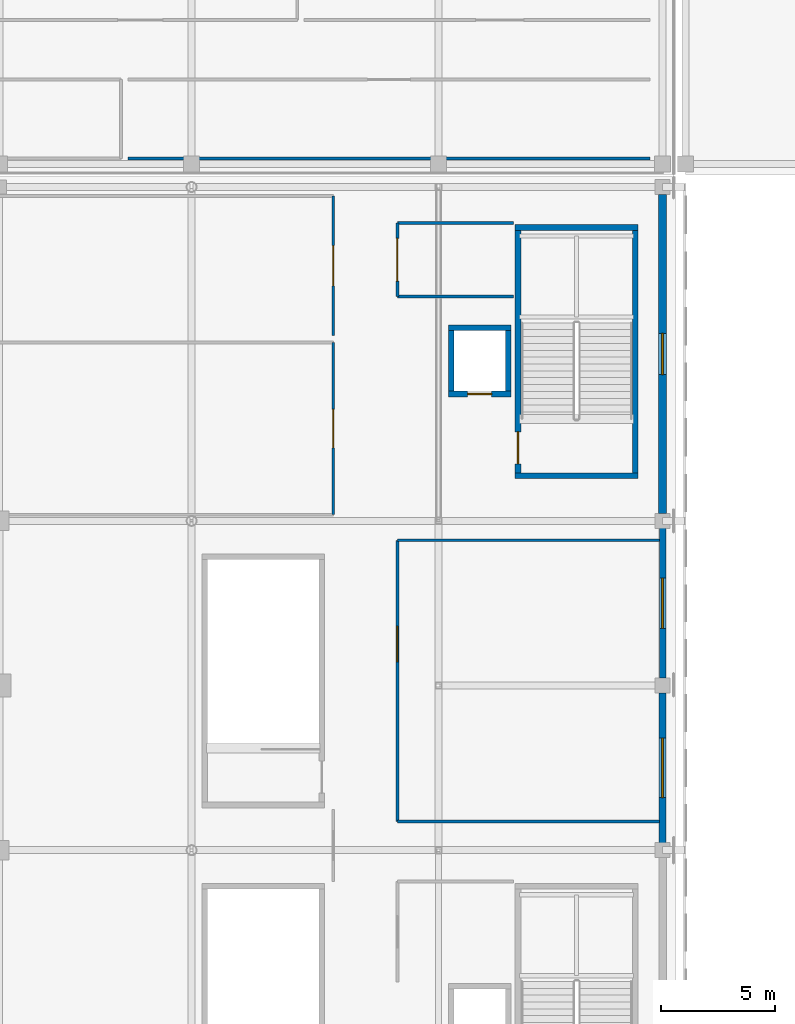
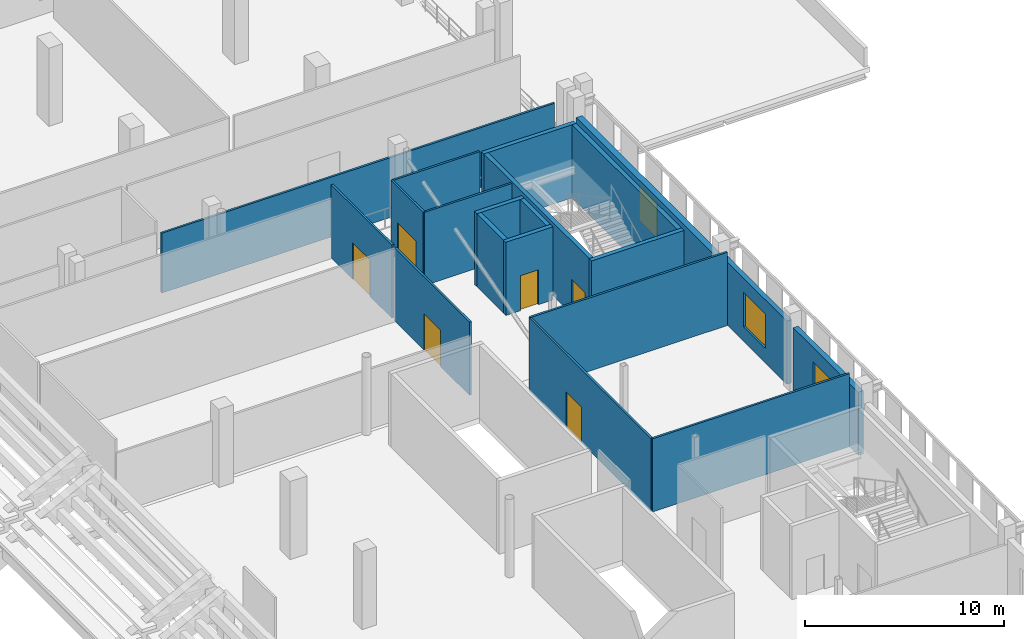
# One storey, part 40 of 74: 20 walls, 6 doors, 3 windows, 9 openings.
"""IFC4 building model written with IfcOpenShell, lengths in metres."""

from ifc_helpers import new_model, si_unit, direction, frame, frame_2d, origin, place, context, subcontext, project, spatial, rectangle, extrude, material, layer, layer_set, type_object, element, fill, save


model = new_model("IFC4")

# Units and contexts
model_context = context("Model", 3, precision=1e-05, world=origin(), true_north=direction((0.0, 1.0)))
body_context = subcontext(model_context, "Body", "Model", "MODEL_VIEW")
ifc_project = project(units=[si_unit("LENGTHUNIT", "METRE"), si_unit("AREAUNIT", "SQUARE_METRE"), si_unit("VOLUMEUNIT", "CUBIC_METRE"), si_unit("PLANEANGLEUNIT", "RADIAN"), si_unit("MASSUNIT", "GRAM", prefix="KILO")], contexts=[model_context])

# Site, building, storey
site_placement = place(None, origin())
site = spatial("IfcSite", under=ifc_project, at=site_placement, CompositionType="ELEMENT")
building_placement = place(site_placement, origin())
building = spatial("IfcBuilding", under=site, at=building_placement, Name="Koshinbarg Plaza Stadium", CompositionType="ELEMENT")
storey_placement = place(building_placement, frame((0.0, 0.0, 15.0)))
storey = spatial("IfcBuildingStorey", under=building, at=storey_placement, Name="L03", CompositionType="ELEMENT", Elevation=15.0)

# Walls
ifc_material_1 = material(Name="Concrete C40/50", Category="concrete")
ifc_layer_1 = layer(ifc_material_1, 0.25)
ifc_layer_set_1 = layer_set([ifc_layer_1], Name="Concrete C40/50")
wall_type_1 = type_object("IfcWallType", Name="WL-CORE-250", PredefinedType="SHEAR", material=ifc_layer_set_1)
for number, where, z_axis, x_axis, name in (
    (1, (211.949951171875, 113.875, 0.0), (0.0, 0.0, 1.0), (1.0, 0.0, 0.0), "L03 core stair shear wall C10-near IWL-L03-0246"),
    (2, (217.320068359375, 124.72509765625, 0.0), (0.0, 0.0, 1.0), (-1.0, 0.0, 0.0), "L03 core stair shear wall C10-far IWL-L03-0247"),
):
    element("IfcWall", number, at=place(storey_placement, frame(where, z_axis=z_axis, x_axis=x_axis)), inside=storey, type_object=wall_type_1, Name=name, PredefinedType="SHEAR", context=body_context, shape_type="SweptSolid", body=[
        extrude(rectangle(XDim=5.3701171875, YDim=0.25, at=frame_2d((2.68505859375, 0.0))), origin(), (0.0, 0.0, 1.0), 4.5),
    ])

# Wall, opening, door
wall_1_placement = place(storey_placement, frame((212.074951171875, 113.875, 0.0), z_axis=(0.0, 0.0, 1.0), x_axis=(0.0, 1.0, 0.0)))
wall_1 = element("IfcWall", 3, at=wall_1_placement, inside=storey, type_object=wall_type_1, Name="L03 core stair shear wall C10-left IWL-L03-0248", PredefinedType="SHEAR", context=body_context, shape_type="SweptSolid", body=[
    extrude(rectangle(XDim=10.85009765625, YDim=0.25, at=frame_2d((5.425048828125, 0.0))), origin(), (0.0, 0.0, 1.0), 4.5),
])
opening_1_placement = place(wall_1_placement, frame((0.52001953125, 0.0, 0.0)))
opening_1 = element("IfcOpeningElement", 4, at=opening_1_placement, cuts=wall_1, Name="Opening D-0124", PredefinedType="OPENING", context=body_context, shape_type="SweptSolid", body=[
    extrude(rectangle(XDim=1.39990234375, YDim=2.14990234375, at=frame_2d((0.699951171875, 1.074951171875))), frame((0.0, 0.135009765625, 0.0), z_axis=(0.0, -1.0, 0.0), x_axis=(1.0, 0.0, 0.0)), (0.0, 0.0, 1.0), 0.27001953125),
])
ifc_material_2 = material(Name="Painted galvanized steel fire door", Category="steel")
door_type_1 = type_object("IfcDoorType", Name="DR-STAIR-1400", OperationType="NOTDEFINED", PredefinedType="DOOR", material=ifc_material_2)
door_1_placement = place(opening_1_placement, frame((1.39990234375, 0.0, 0.0), z_axis=(0.0, 0.0, 1.0), x_axis=(-1.0, 0.0, 0.0)))
door_1 = element("IfcDoor", 5, at=door_1_placement, inside=storey, type_object=door_type_1, Name="L03 exit stair door C10", OperationType="SINGLE_SWING_RIGHT", OverallHeight=2.14990234375, OverallWidth=1.39990234375, PredefinedType="DOOR", context=body_context, shape_type="SweptSolid", body=[
    extrude(rectangle(XDim=1.39990234375, YDim=2.14990234375, at=frame_2d((0.699951171875, 1.074951171875))), frame((0.0, 0.02490234375, 0.0), z_axis=(0.0, -1.0, 0.0), x_axis=(1.0, 0.0, 0.0)), (0.0, 0.0, 1.0), 0.050048828125),
])
fill(opening_1, door_1)

# Wall
wall_2_placement = place(storey_placement, frame((217.195068359375, 113.875, 0.0), z_axis=(0.0, 0.0, 1.0), x_axis=(0.0, 1.0, 0.0)))
element("IfcWall", 6, at=wall_2_placement, inside=storey, type_object=wall_type_1, Name="L03 core stair shear wall C10-right IWL-L03-0249", PredefinedType="SHEAR", context=body_context, shape_type="SweptSolid", body=[
    extrude(rectangle(XDim=10.85009765625, YDim=0.25, at=frame_2d((5.425048828125, 0.0))), origin(), (0.0, 0.0, 1.0), 4.5),
])

# Wall, opening, door
wall_3_placement = place(storey_placement, frame((209.02490234375, 117.449951171875, 0.0), z_axis=(0.0, 0.0, 1.0), x_axis=(1.0, 0.0, 0.0)))
wall_3 = element("IfcWall", 7, at=wall_3_placement, inside=storey, type_object=wall_type_1, Name="L03 lift shaft shear wall LP06-S IWL-L03-0946", PredefinedType="SHEAR", context=body_context, shape_type="SweptSolid", body=[
    extrude(rectangle(XDim=2.75, YDim=0.25, at=frame_2d((1.375, 0.0))), origin(), (0.0, 0.0, 1.0), 4.5),
])
opening_2_placement = place(wall_3_placement, frame((0.85009765625, 0.0, 0.0)))
opening_2 = element("IfcOpeningElement", 8, at=opening_2_placement, cuts=wall_3, Name="Opening D-0306", PredefinedType="OPENING", context=body_context, shape_type="SweptSolid", body=[
    extrude(rectangle(XDim=1.050048828125, YDim=2.14990234375, at=frame_2d((0.52490234375, 1.074951171875))), frame((0.0, 0.135009765625, 0.0), z_axis=(0.0, -1.0, 0.0), x_axis=(1.0, 0.0, 0.0)), (0.0, 0.0, 1.0), 0.27001953125),
])
ifc_material_3 = material(Name="Brushed stainless steel sliding lift landing door", Category="steel")
door_type_2 = type_object("IfcDoorType", Name="DR-LIFT-1050", OperationType="NOTDEFINED", PredefinedType="DOOR", material=ifc_material_3)
door_2_placement = place(opening_2_placement, origin())
door_2 = element("IfcDoor", 9, at=door_2_placement, inside=storey, type_object=door_type_2, Name="L03 lift landing door LP06", OperationType="SLIDING_TO_LEFT", OverallHeight=2.14990234375, OverallWidth=1.050048828125, PredefinedType="DOOR", context=body_context, shape_type="SweptSolid", body=[
    extrude(rectangle(XDim=1.050048828125, YDim=2.14990234375, at=frame_2d((0.52490234375, 1.074951171875))), frame((0.0, 0.02490234375, 0.0), z_axis=(0.0, -1.0, 0.0), x_axis=(1.0, 0.0, 0.0)), (0.0, 0.0, 1.0), 0.050048828125),
])
fill(opening_2, door_2)

# Walls
wall_4_placement = place(storey_placement, frame((211.77490234375, 120.35009765625, 0.0), z_axis=(0.0, 0.0, 1.0), x_axis=(-1.0, 0.0, 0.0)))
element("IfcWall", 10, at=wall_4_placement, inside=storey, type_object=wall_type_1, Name="L03 lift shaft shear wall LP06-N IWL-L03-0947", PredefinedType="SHEAR", context=body_context, shape_type="SweptSolid", body=[
    extrude(rectangle(XDim=2.75, YDim=0.25, at=frame_2d((1.375, 0.0))), origin(), (0.0, 0.0, 1.0), 4.5),
])
for number, where, z_axis, x_axis, name in (
    (11, (209.14990234375, 120.35009765625, 0.0), (0.0, 0.0, 1.0), (0.0, -1.0, 0.0), "L03 lift shaft shear wall LP06-W IWL-L03-0948"),
    (12, (211.64990234375, 117.449951171875, 0.0), (0.0, 0.0, 1.0), (0.0, 1.0, 0.0), "L03 lift shaft shear wall LP06-E IWL-L03-0949"),
):
    element("IfcWall", number, at=place(storey_placement, frame(where, z_axis=z_axis, x_axis=x_axis)), inside=storey, type_object=wall_type_1, Name=name, PredefinedType="SHEAR", context=body_context, shape_type="SweptSolid", body=[
        extrude(rectangle(XDim=2.900146484375, YDim=0.25, at=frame_2d((1.4501953125, 0.0))), origin(), (0.0, 0.0, 1.0), 4.5),
    ])

# Wall, opening, window
ifc_material_4 = material(Name="Terracotta-ochre mineral plaster insulated wall", Category="masonry")
ifc_layer_2 = layer(ifc_material_4, 0.280029296875)
ifc_layer_set_2 = layer_set([ifc_layer_2], Name="Terracotta-ochre mineral plaster insulated wall")
wall_type_2 = type_object("IfcWallType", Name="WL-EXT-280", PredefinedType="SOLIDWALL", material=ifc_layer_set_2)
wall_5_placement = place(storey_placement, frame((218.39990234375, 111.580078125, 0.0), z_axis=(0.0, 0.0, 1.0), x_axis=(0.0, -1.0, 0.0)))
wall_5 = element("IfcWall", 13, at=wall_5_placement, inside=storey, type_object=wall_type_2, Name="L03 exterior envelope wall EWL-L03-0176", PredefinedType="SOLIDWALL", context=body_context, shape_type="SweptSolid", body=[
    extrude(rectangle(XDim=6.56005859375, YDim=0.280029296875, at=frame_2d((3.280029296875, 0.0))), origin(), (0.0, 0.0, 1.0), 3.8798828125),
])
opening_3_placement = place(wall_5_placement, frame((2.179931640625, 0.0, 0.89990234375)))
opening_3 = element("IfcOpeningElement", 14, at=opening_3_placement, cuts=wall_5, Name="Opening WN15", PredefinedType="OPENING", context=body_context, shape_type="SweptSolid", body=[
    extrude(rectangle(XDim=2.199951171875, YDim=2.10009765625, at=frame_2d((1.10009765625, 1.050048828125))), frame((0.0, 0.14990234375, 0.0), z_axis=(0.0, -1.0, 0.0), x_axis=(1.0, 0.0, 0.0)), (0.0, 0.0, 1.0), 0.300048828125),
])
ifc_material_5 = material(Name="Solar-control double glazing in thermally broken aluminium frame", Category="aluminium")
window_type_1 = type_object("IfcWindowType", Name="WN-FAC-15", PartitioningType="DOUBLE_PANEL_VERTICAL", PredefinedType="WINDOW", material=ifc_material_5)
window_1_placement = place(opening_3_placement, origin())
window_1 = element("IfcWindow", 15, at=window_1_placement, inside=storey, type_object=window_type_1, Name="L03 facade window 0109", OverallHeight=2.10009765625, OverallWidth=2.199951171875, PartitioningType="SINGLE_PANEL", PredefinedType="WINDOW", context=body_context, shape_type="SweptSolid", body=[
    extrude(rectangle(XDim=2.199951171875, YDim=2.10009765625, at=frame_2d((1.10009765625, 1.050048828125))), frame((0.0, 0.030029296875, 0.0), z_axis=(0.0, -1.0, 0.0), x_axis=(1.0, 0.0, 0.0)), (0.0, 0.0, 1.0), 0.06005859375),
])
fill(opening_3, window_1)

ifc_material_6 = material(Name="Off-white mineral plaster insulated wall", Category="masonry")
ifc_layer_3 = layer(ifc_material_6, 0.300048828125)
ifc_layer_set_3 = layer_set([ifc_layer_3], Name="Off-white mineral plaster insulated wall")
wall_type_3 = type_object("IfcWallType", Name="WL-EXT-300", PredefinedType="SOLIDWALL", material=ifc_layer_set_3)
wall_6_placement = place(storey_placement, frame((218.39990234375, 104.3798828125, 0.0), z_axis=(0.0, 0.0, 1.0), x_axis=(0.0, -1.0, 0.0)))
wall_6 = element("IfcWall", 16, at=wall_6_placement, inside=storey, type_object=wall_type_3, Name="L03 exterior envelope wall EWL-L03-0177", PredefinedType="SOLIDWALL", context=body_context, shape_type="SweptSolid", body=[
    extrude(rectangle(XDim=6.559814453125, YDim=0.300048828125, at=frame_2d((3.27978515625, 0.0))), origin(), (0.0, 0.0, 1.0), 3.8798828125),
])
opening_4_placement = place(wall_6_placement, frame((1.97998046875, 0.0, 0.89990234375)))
opening_4 = element("IfcOpeningElement", 17, at=opening_4_placement, cuts=wall_6, Name="Opening WN16", PredefinedType="OPENING", context=body_context, shape_type="SweptSolid", body=[
    extrude(rectangle(XDim=2.60009765625, YDim=2.10009765625, at=frame_2d((1.300048828125, 1.050048828125))), frame((0.0, 0.159912109375, 0.0), z_axis=(0.0, -1.0, 0.0), x_axis=(1.0, 0.0, 0.0)), (0.0, 0.0, 1.0), 0.320068359375),
])
window_type_2 = type_object("IfcWindowType", Name="WN-FAC-16", PartitioningType="DOUBLE_PANEL_VERTICAL", PredefinedType="WINDOW", material=ifc_material_5)
window_2_placement = place(opening_4_placement, origin())
window_2 = element("IfcWindow", 18, at=window_2_placement, inside=storey, type_object=window_type_2, Name="L03 facade window 0110", OverallHeight=2.10009765625, OverallWidth=2.60009765625, PartitioningType="SINGLE_PANEL", PredefinedType="WINDOW", context=body_context, shape_type="SweptSolid", body=[
    extrude(rectangle(XDim=2.60009765625, YDim=2.10009765625, at=frame_2d((1.300048828125, 1.050048828125))), frame((0.0, 0.030029296875, 0.0), z_axis=(0.0, -1.0, 0.0), x_axis=(1.0, 0.0, 0.0)), (0.0, 0.0, 1.0), 0.06005859375),
])
fill(opening_4, window_2)

ifc_material_7 = material(Name="Acoustic insulated masonry stadium wall", Category="masonry")
ifc_layer_4 = layer(ifc_material_7, 0.35009765625)
ifc_layer_set_4 = layer_set([ifc_layer_4], Name="Acoustic insulated masonry stadium wall")
wall_type_4 = type_object("IfcWallType", Name="WL-EXT-350", PredefinedType="SOLIDWALL", material=ifc_layer_set_4)
wall_7_placement = place(storey_placement, frame((218.39990234375, 126.179931640625, 0.0), z_axis=(0.0, 0.0, 1.0), x_axis=(0.0, -1.0, 0.0)))
wall_7 = element("IfcWall", 19, at=wall_7_placement, inside=storey, type_object=wall_type_4, Name="L03 exterior envelope wall EWL-L03-0175", PredefinedType="SOLIDWALL", context=body_context, shape_type="SweptSolid", body=[
    extrude(rectangle(XDim=13.9599609375, YDim=0.35009765625, at=frame_2d((6.97998046875, 0.0))), origin(), (0.0, 0.0, 1.0), 3.580078125),
])
opening_5_placement = place(wall_7_placement, frame((6.080078125, 0.0, 0.89990234375)))
opening_5 = element("IfcOpeningElement", 20, at=opening_5_placement, cuts=wall_7, Name="Opening WN14", PredefinedType="OPENING", context=body_context, shape_type="SweptSolid", body=[
    extrude(rectangle(XDim=1.800048828125, YDim=2.10009765625, at=frame_2d((0.89990234375, 1.050048828125))), frame((0.0, 0.18505859375, 0.0), z_axis=(0.0, -1.0, 0.0), x_axis=(1.0, 0.0, 0.0)), (0.0, 0.0, 1.0), 0.3701171875),
])
window_type_3 = type_object("IfcWindowType", Name="WN-FAC-14", PartitioningType="DOUBLE_PANEL_VERTICAL", PredefinedType="WINDOW", material=ifc_material_5)
window_3_placement = place(opening_5_placement, origin())
window_3 = element("IfcWindow", 21, at=window_3_placement, inside=storey, type_object=window_type_3, Name="L03 facade window 0108", OverallHeight=2.10009765625, OverallWidth=1.800048828125, PartitioningType="SINGLE_PANEL", PredefinedType="WINDOW", context=body_context, shape_type="SweptSolid", body=[
    extrude(rectangle(XDim=1.800048828125, YDim=2.10009765625, at=frame_2d((0.89990234375, 1.050048828125))), frame((0.0, 0.030029296875, 0.0), z_axis=(0.0, -1.0, 0.0), x_axis=(1.0, 0.0, 0.0)), (0.0, 0.0, 1.0), 0.06005859375),
])
fill(opening_5, window_3)

# Walls
ifc_material_8 = material(Name="Gypsum board metal-stud acoustic partition")
ifc_layer_5 = layer(ifc_material_8, 0.1201171875)
ifc_layer_set_5 = layer_set([ifc_layer_5], Name="Gypsum board metal-stud acoustic partition")
wall_type_5 = type_object("IfcWallType", Name="WL-PART-120", PredefinedType="PARTITIONING", material=ifc_layer_set_5)
for number, where, z_axis, x_axis, name in (
    (22, (206.800048828125, 98.759033203125, 0.0), (0.0, 0.0, 1.0), (1.0, 0.0, 0.0), "L03 interior partition L03-92-south IWL-L03-1987"),
    (23, (218.2548828125, 111.050048828125, 0.0), (0.0, 0.0, 1.0), (-1.0, 0.0, 0.0), "L03 interior partition L03-92-north IWL-L03-1988"),
):
    element("IfcWall", number, at=place(storey_placement, frame(where, z_axis=z_axis, x_axis=x_axis)), inside=storey, type_object=wall_type_5, Name=name, PredefinedType="PARTITIONING", context=body_context, shape_type="SweptSolid", body=[
        extrude(rectangle(XDim=11.454833984375, YDim=0.1201171875, at=frame_2d((5.7275390625, 0.0))), origin(), (0.0, 0.0, 1.0), 4.5),
    ])

# Wall, opening, door
wall_8_placement = place(storey_placement, frame((206.800048828125, 111.050048828125, 0.0), z_axis=(0.0, 0.0, 1.0), x_axis=(0.0, -1.0, 0.0)))
wall_8 = element("IfcWall", 24, at=wall_8_placement, inside=storey, type_object=wall_type_5, Name="L03 interior partition L03-92-west IWL-L03-1989", PredefinedType="PARTITIONING", context=body_context, shape_type="SweptSolid", body=[
    extrude(rectangle(XDim=12.291015625, YDim=0.1201171875, at=frame_2d((6.1455078125, 0.0))), origin(), (0.0, 0.0, 1.0), 4.5),
])
opening_6_placement = place(wall_8_placement, frame((3.763916015625, 0.0, 0.0)))
opening_6 = element("IfcOpeningElement", 25, at=opening_6_placement, cuts=wall_8, Name="Opening D-0682", PredefinedType="OPENING", context=body_context, shape_type="SweptSolid", body=[
    extrude(rectangle(XDim=1.550048828125, YDim=2.199951171875, at=frame_2d((0.77490234375, 1.10009765625))), frame((0.0, 0.070068359375, 0.0), z_axis=(0.0, -1.0, 0.0), x_axis=(1.0, 0.0, 0.0)), (0.0, 0.0, 1.0), 0.14013671875),
])
ifc_material_9 = material(Name="Toughened laminated glass in aluminium frame", Category="aluminium")
door_type_3 = type_object("IfcDoorType", Name="DR-INT-1550x2200", OperationType="NOTDEFINED", PredefinedType="DOOR", material=ifc_material_9)
door_3_placement = place(opening_6_placement, origin())
door_3 = element("IfcDoor", 26, at=door_3_placement, inside=storey, type_object=door_type_3, Name="L03 Youth Fan Zone Hall door D-0682", OperationType="DOUBLE_DOOR_SINGLE_SWING", OverallHeight=2.199951171875, OverallWidth=1.550048828125, PredefinedType="DOOR", context=body_context, shape_type="SweptSolid", body=[
    extrude(rectangle(XDim=1.550048828125, YDim=2.199951171875, at=frame_2d((0.77490234375, 1.10009765625))), frame((0.0, 0.02490234375, 0.0), z_axis=(0.0, -1.0, 0.0), x_axis=(1.0, 0.0, 0.0)), (0.0, 0.0, 1.0), 0.050048828125),
])
fill(opening_6, door_3)

wall_9_placement = place(storey_placement, frame((204.0, 112.169921875, 0.0), z_axis=(0.0, 0.0, 1.0), x_axis=(0.0, 1.0, 0.0)))
wall_9 = element("IfcWall", 27, at=wall_9_placement, inside=storey, type_object=wall_type_5, Name="L03 interior partition L03-93-east IWL-L03-1991", PredefinedType="PARTITIONING", context=body_context, shape_type="SweptSolid", body=[
    extrude(rectangle(XDim=7.529296875, YDim=0.1201171875, at=frame_2d((3.7646484375, 0.0))), origin(), (0.0, 0.0, 1.0), 4.5),
])
opening_7_placement = place(wall_9_placement, frame((2.924560546875, 0.0, 0.0)))
opening_7 = element("IfcOpeningElement", 28, at=opening_7_placement, cuts=wall_9, Name="Opening D-0683", PredefinedType="OPENING", context=body_context, shape_type="SweptSolid", body=[
    extrude(rectangle(XDim=1.679931640625, YDim=2.25, at=frame_2d((0.83984375, 1.125))), frame((0.0, 0.070068359375, 0.0), z_axis=(0.0, -1.0, 0.0), x_axis=(1.0, 0.0, 0.0)), (0.0, 0.0, 1.0), 0.14013671875),
])
ifc_material_10 = material(Name="Powder-coated aluminium double glazed door", Category="aluminium")
door_type_4 = type_object("IfcDoorType", Name="DR-INT-1680x2250", OperationType="NOTDEFINED", PredefinedType="DOOR", material=ifc_material_10)
door_4_placement = place(opening_7_placement, origin())
door_4 = element("IfcDoor", 29, at=door_4_placement, inside=storey, type_object=door_type_4, Name="L03 Youth Fan Zone Hall door D-0683", OperationType="DOUBLE_DOOR_SINGLE_SWING", OverallHeight=2.25, OverallWidth=1.679931640625, PredefinedType="DOOR", context=body_context, shape_type="SweptSolid", body=[
    extrude(rectangle(XDim=1.679931640625, YDim=2.25, at=frame_2d((0.83984375, 1.125))), frame((0.0, 0.02490234375, 0.0), z_axis=(0.0, -1.0, 0.0), x_axis=(1.0, 0.0, 0.0)), (0.0, 0.0, 1.0), 0.050048828125),
])
fill(opening_7, door_4)

wall_10_placement = place(storey_placement, frame((204.0, 119.999267578125, 0.0), z_axis=(0.0, 0.0, 1.0), x_axis=(0.0, 1.0, 0.0)))
wall_10 = element("IfcWall", 30, at=wall_10_placement, inside=storey, type_object=wall_type_5, Name="L03 interior partition L03-94-east IWL-L03-1994", PredefinedType="PARTITIONING", context=body_context, shape_type="SweptSolid", body=[
    extrude(rectangle(XDim=6.105712890625, YDim=0.1201171875, at=frame_2d((3.052734375, 0.0))), origin(), (0.0, 0.0, 1.0), 4.5),
])
opening_8_placement = place(wall_10_placement, frame((2.1728515625, 0.0, 0.0)))
opening_8 = element("IfcOpeningElement", 31, at=opening_8_placement, cuts=wall_10, Name="Opening D-0684", PredefinedType="OPENING", context=body_context, shape_type="SweptSolid", body=[
    extrude(rectangle(XDim=1.760009765625, YDim=2.25, at=frame_2d((0.8798828125, 1.125))), frame((0.0, 0.070068359375, 0.0), z_axis=(0.0, -1.0, 0.0), x_axis=(1.0, 0.0, 0.0)), (0.0, 0.0, 1.0), 0.14013671875),
])
ifc_material_11 = material(Name="Solid-core oak veneer double swing door")
door_type_5 = type_object("IfcDoorType", Name="DR-INT-1760x2250", OperationType="NOTDEFINED", PredefinedType="DOOR", material=ifc_material_11)
door_5_placement = place(opening_8_placement, origin())
door_5 = element("IfcDoor", 32, at=door_5_placement, inside=storey, type_object=door_type_5, Name="L03 East Supporters' Viewing Salon door D-0684", OperationType="DOUBLE_DOOR_SINGLE_SWING", OverallHeight=2.25, OverallWidth=1.760009765625, PredefinedType="DOOR", context=body_context, shape_type="SweptSolid", body=[
    extrude(rectangle(XDim=1.760009765625, YDim=2.25, at=frame_2d((0.8798828125, 1.125))), frame((0.0, 0.02490234375, 0.0), z_axis=(0.0, -1.0, 0.0), x_axis=(1.0, 0.0, 0.0)), (0.0, 0.0, 1.0), 0.050048828125),
])
fill(opening_8, door_5)

# Walls
for number, where, z_axis, x_axis, name in (
    (33, (206.800048828125, 121.70751953125, 0.0), (0.0, 0.0, 1.0), (1.0, 0.0, 0.0), "L03 interior partition L03-95-south IWL-L03-1997"),
    (34, (211.8701171875, 124.929931640625, 0.0), (0.0, 0.0, 1.0), (-1.0, 0.0, 0.0), "L03 interior partition L03-95-north IWL-L03-1998"),
):
    element("IfcWall", number, at=place(storey_placement, frame(where, z_axis=z_axis, x_axis=x_axis)), inside=storey, type_object=wall_type_5, Name=name, PredefinedType="PARTITIONING", context=body_context, shape_type="SweptSolid", body=[
        extrude(rectangle(XDim=5.070068359375, YDim=0.1201171875, at=frame_2d((2.53515625, 0.0))), origin(), (0.0, 0.0, 1.0), 4.5),
    ])

# Wall, opening, door
wall_11_placement = place(storey_placement, frame((206.800048828125, 124.929931640625, 0.0), z_axis=(0.0, 0.0, 1.0), x_axis=(0.0, -1.0, 0.0)))
wall_11 = element("IfcWall", 35, at=wall_11_placement, inside=storey, type_object=wall_type_5, Name="L03 interior partition L03-95-west IWL-L03-1999", PredefinedType="PARTITIONING", context=body_context, shape_type="SweptSolid", body=[
    extrude(rectangle(XDim=3.222412109375, YDim=0.1201171875, at=frame_2d((1.611328125, 0.0))), origin(), (0.0, 0.0, 1.0), 4.5),
])
opening_9_placement = place(wall_11_placement, frame((0.681396484375, 0.0, 0.0)))
opening_9 = element("IfcOpeningElement", 36, at=opening_9_placement, cuts=wall_11, Name="Opening D-0685", PredefinedType="OPENING", context=body_context, shape_type="SweptSolid", body=[
    extrude(rectangle(XDim=1.860107421875, YDim=2.300048828125, at=frame_2d((0.93017578125, 1.14990234375))), frame((0.0, 0.070068359375, 0.0), z_axis=(0.0, -1.0, 0.0), x_axis=(1.0, 0.0, 0.0)), (0.0, 0.0, 1.0), 0.14013671875),
])
ifc_material_12 = material(Name="Acoustic solid-core walnut veneer fire door")
door_type_6 = type_object("IfcDoorType", Name="DR-INT-1860x2300", OperationType="NOTDEFINED", PredefinedType="DOOR", material=ifc_material_12)
door_6_placement = place(opening_9_placement, origin())
door_6 = element("IfcDoor", 37, at=door_6_placement, inside=storey, type_object=door_type_6, Name="L03 East Family Cafe Hall door D-0685", OperationType="DOUBLE_DOOR_SINGLE_SWING", OverallHeight=2.300048828125, OverallWidth=1.860107421875, PredefinedType="DOOR", context=body_context, shape_type="SweptSolid", body=[
    extrude(rectangle(XDim=1.860107421875, YDim=2.300048828125, at=frame_2d((0.93017578125, 1.14990234375))), frame((0.0, 0.02490234375, 0.0), z_axis=(0.0, -1.0, 0.0), x_axis=(1.0, 0.0, 0.0)), (0.0, 0.0, 1.0), 0.050048828125),
])
fill(opening_9, door_6)

# Wall
wall_12_placement = place(storey_placement, frame((195.010009765625, 127.7451171875, 0.0), z_axis=(0.0, 0.0, 1.0), x_axis=(1.0, 0.0, 0.0)))
element("IfcWall", 38, at=wall_12_placement, inside=storey, type_object=wall_type_5, Name="L03 interior partition L03-112-south IWL-L03-2046", PredefinedType="PARTITIONING", context=body_context, shape_type="SweptSolid", body=[
    extrude(rectangle(XDim=22.840087890625, YDim=0.1201171875, at=frame_2d((11.419921875, 0.0))), origin(), (0.0, 0.0, 1.0), 3.679931640625),
])

save(model, "model.ifc")
